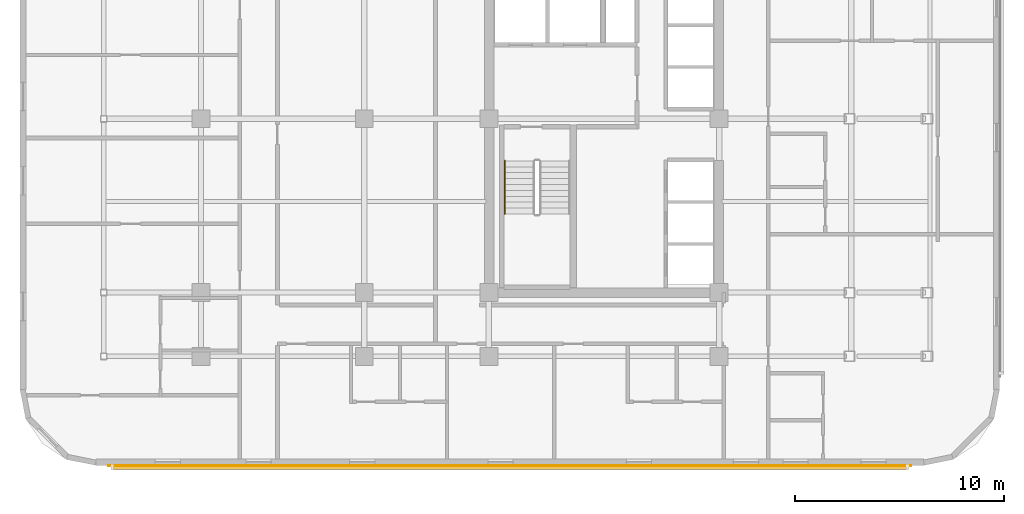
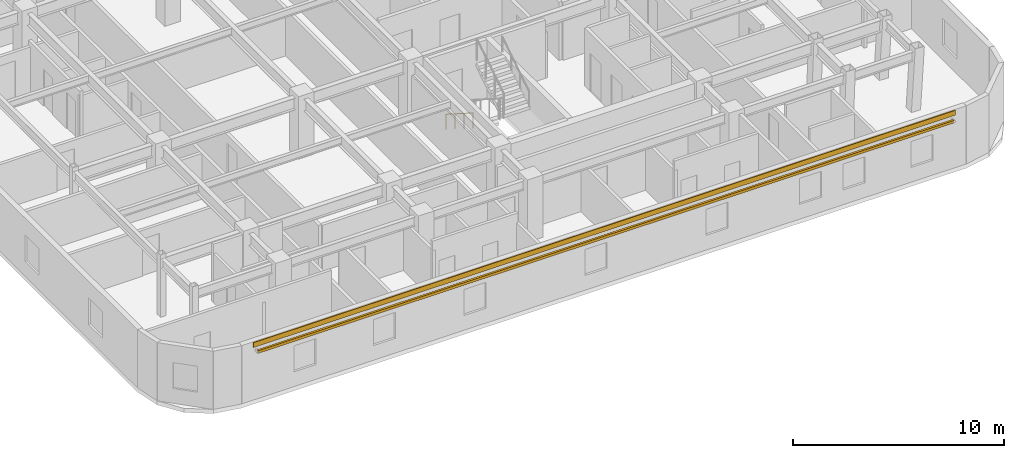
# One storey, part 12 of 14: 1 covering, 1 railing, 1 shading device.
"""IFC4 building model written with IfcOpenShell, lengths in metres."""

from ifc_helpers import new_model, si_unit, direction, frame, origin, origin_2d, place, context, subcontext, project, spatial, rectangle, circle, extrude, material, layer, layer_set, material_profile, profile_set, type_object, element, save


model = new_model("IFC4")

# Units and contexts
model_context = context("Model", 3, precision=1e-05, world=origin(), true_north=direction((0.0, 1.0)))
body_context = subcontext(model_context, "Body", "Model", "MODEL_VIEW")
ifc_project = project(units=[si_unit("LENGTHUNIT", "METRE"), si_unit("AREAUNIT", "SQUARE_METRE"), si_unit("VOLUMEUNIT", "CUBIC_METRE"), si_unit("PLANEANGLEUNIT", "RADIAN"), si_unit("MASSUNIT", "GRAM", prefix="KILO")], contexts=[model_context])

# Site, building, storey
site_placement = place(None, origin())
site = spatial("IfcSite", under=ifc_project, at=site_placement, CompositionType="ELEMENT")
building_placement = place(site_placement, origin())
building = spatial("IfcBuilding", under=site, at=building_placement, Name="Ochreholt Gables", CompositionType="ELEMENT")
storey_placement = place(building_placement, frame((0.0, 0.0, 42.0)))
storey = spatial("IfcBuildingStorey", under=building, at=storey_placement, Name="L10", CompositionType="ELEMENT", Elevation=42.0)

# Covering
ifc_material_1 = material(Name="Glazed Ochre Terracotta Rainscreen Cladding", Category="masonry")
ifc_layer = layer(ifc_material_1, 0.044921875, Name="Glazed Ochre Terracotta Rainscreen Cladding")
ifc_layer_set = layer_set([ifc_layer], Name="Glazed Ochre Terracotta Rainscreen Cladding")
covering_type = type_object("IfcCoveringType", Name="COV-CLAD-TC", PredefinedType="CLADDING", material=ifc_layer_set)
covering_placement = place(storey_placement, frame((25.199951171875, 0.97998046875, 3.06005859375), z_axis=(0.0, 0.0, 1.0), x_axis=(1.0, 0.0, 0.0)))
element("IfcCovering", 1, at=covering_placement, inside=storey, type_object=covering_type, Name="L10 Terracotta Spandrel Cladding South", PredefinedType="CLADDING", context=body_context, shape_type="SweptSolid", body=[
    extrude(rectangle(XDim=38.360107421875, YDim=0.044921875, at=origin_2d()), origin(), (0.0, 0.0, 1.0), 0.280029296875),
])

# Railing
ifc_material_2 = material(Name="Brushed Stainless Steel Wall Handrail", Category="steel")
railing_type = type_object("IfcRailingType", Name="RL-ST-HAND", PredefinedType="HANDRAIL", material=ifc_material_2)
railing_placement = place(storey_placement, frame((24.969970703125, 15.5400390625, 0.179931640625)))
element("IfcRailing", 2, at=railing_placement, inside=storey, type_object=railing_type, Name="L10 ST-1 stair handrail 1", PredefinedType="HANDRAIL", context=body_context, shape_type="SweptSolid", body=[
    extrude(circle(Radius=0.02392578125, at=origin_2d()), frame((0.0, 0.0, 0.8759765625), z_axis=(0.0, -0.842912820907, 0.538050161556), x_axis=(1.0, 0.0, 0.0)), (0.0, 0.0, 1.0), 3.010986328125),
    extrude(circle(Radius=0.02099609375, at=origin_2d()), origin(), (0.0, 0.0, 1.0), 0.851806640625),
    extrude(circle(Radius=0.02099609375, at=origin_2d()), frame((0.0, -0.845947265625, 0.5400390625)), (0.0, 0.0, 1.0), 0.851806640625),
    extrude(circle(Radius=0.02099609375, at=origin_2d()), frame((0.0, -1.692138671875, 1.080078125)), (0.0, 0.0, 1.0), 0.851806640625),
    extrude(circle(Radius=0.02099609375, at=origin_2d()), frame((0.0, -2.5380859375, 1.6201171875)), (0.0, 0.0, 1.0), 0.851806640625),
])

# Shading device
ifc_material_3 = material(Name="Warm Ochre Glazed Terracotta Baguette", Category="masonry")
ifc_material_profile = material_profile(ifc_material_3, rectangle(XDim=0.110107421875, YDim=0.14990234375, at=origin_2d()), Name="TCBAG110X150")
ifc_profile_set = profile_set([ifc_material_profile], Name="Warm Ochre Glazed Terracotta Baguette")
shading_device_type = type_object("IfcShadingDeviceType", Name="SHD-BAGUETTE", PredefinedType="USERDEFINED", material=ifc_profile_set)
shading_device_placement = place(storey_placement, frame((6.199951171875, 0.85009765625, 2.840087890625), z_axis=(1.0, 0.0, 0.0), x_axis=(0.0, 1.0, 0.0)))
element("IfcShadingDevice", 3, at=shading_device_placement, inside=storey, type_object=shading_device_type, Name="L10 Terracotta Baguette Screen S-1", ObjectType="BAGUETTE", PredefinedType="USERDEFINED", context=body_context, shape_type="SweptSolid", body=[
    extrude(rectangle(XDim=0.110107421875, YDim=0.14990234375, at=origin_2d()), origin(), (0.0, 0.0, 1.0), 38.0),
])

save(model, "model.ifc")
